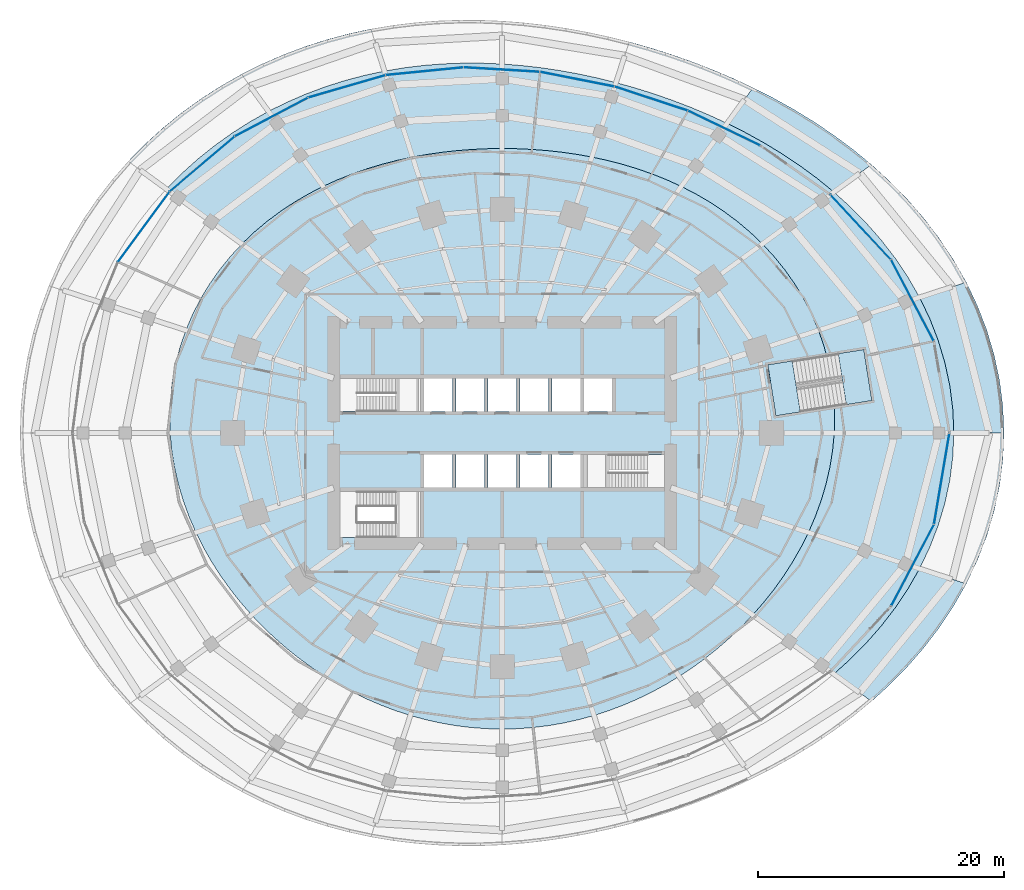
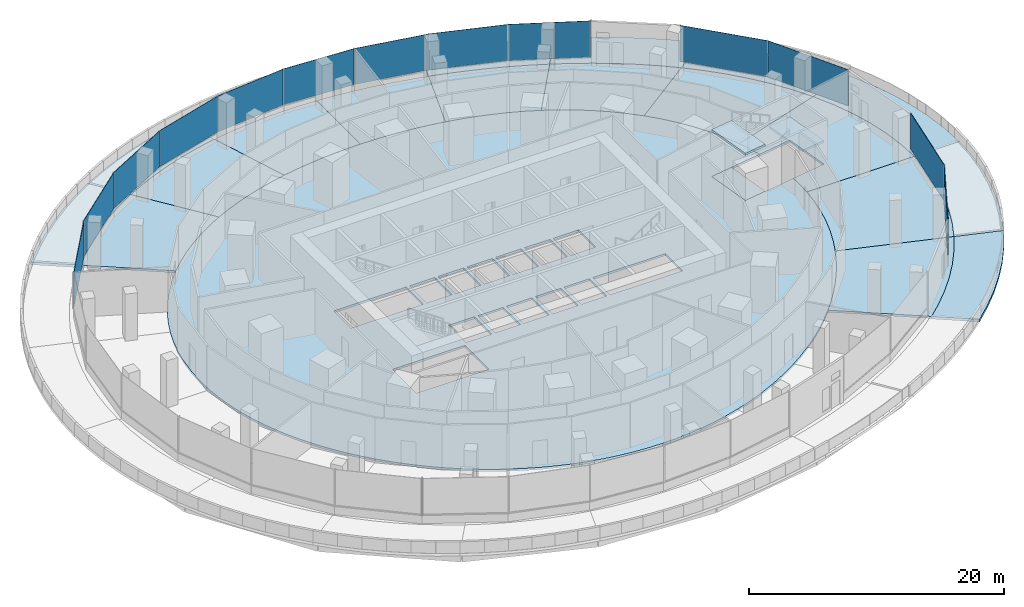
# One storey, part 17 of 27: 22 slabs, 13 plates, 6 elements without a shape of their own.
"""IFC4 building model written with IfcOpenShell, lengths in metres."""

from ifc_helpers import new_model, si_unit, direction, frame, origin, origin_2d, place, context, subcontext, project, spatial, polyline, rectangle, outline, extrude, material, layer, layer_set, type_object, element, aggregate, save


model = new_model("IFC4")

# Units and contexts
model_context = context("Model", 3, precision=1e-05, world=origin(), true_north=direction((0.0, 1.0)))
body_context = subcontext(model_context, "Body", "Model", "MODEL_VIEW")
ifc_project = project(units=[si_unit("LENGTHUNIT", "METRE"), si_unit("AREAUNIT", "SQUARE_METRE"), si_unit("VOLUMEUNIT", "CUBIC_METRE"), si_unit("PLANEANGLEUNIT", "RADIAN"), si_unit("MASSUNIT", "GRAM", prefix="KILO")], contexts=[model_context])

# Site, building, storey
site_placement = place(None, origin())
site = spatial("IfcSite", under=ifc_project, at=site_placement, CompositionType="ELEMENT")
building_placement = place(site_placement, origin())
building = spatial("IfcBuilding", under=site, at=building_placement, Name="Marramba Exchange Tower", CompositionType="ELEMENT")
storey_placement = place(building_placement, frame((0.0, 0.0, 10.60009765625)))
storey = spatial("IfcBuildingStorey", under=building, at=storey_placement, Name="L02", CompositionType="ELEMENT", Elevation=10.60009765625)

# Slabs
ifc_material_1 = material(Name="Concrete N40", Category="concrete")
ifc_layer_1 = layer(ifc_material_1, 0.199951171875)
ifc_layer_set_1 = layer_set([ifc_layer_1], Name="Floor slab 200")
slab_type_1 = type_object("IfcSlabType", Name="Floor slab 200", PredefinedType="FLOOR", material=ifc_layer_set_1)
slab_1_placement = place(storey_placement, frame((0.0, 0.0, -0.2001953125)))
element("IfcSlab", 1, at=slab_1_placement, inside=storey, type_object=slab_type_1, Name="Floor slab L02", PredefinedType="FLOOR", context=body_context, shape_type="SweptSolid", body=[
    extrude(outline(polyline([(27.003173828125, 2.150634765625), (27.035888671875, 1.4169921875), (27.0, 0.0), (26.8671875, -1.407958984375), (26.64111328125, -2.800048828125), (26.326171875, -4.169677734375), (25.927001953125, -5.510986328125), (25.44921875, -6.819091796875), (24.8984375, -8.090087890625), (24.280517578125, -9.320556640625), (23.60107421875, -10.5078125), (22.865234375, -11.650390625), (22.078369140625, -12.7470703125), (21.244873046875, -13.796630859375), (20.36865234375, -14.798583984375), (19.453369140625, -15.753173828125), (18.502197265625, -16.659423828125), (17.517578125, -17.517578125), (16.501953125, -18.327392578125), (15.457275390625, -19.088134765625), (14.385009765625, -19.799072265625), (13.286865234375, -20.459716796875), (12.164306640625, -21.069091796875), (11.01904296875, -21.6259765625), (9.8525390625, -22.129150390625), (8.66650390625, -22.577392578125), (7.463134765625, -22.968994140625), (6.244140625, -23.30322265625), (5.01171875, -23.578369140625), (3.7685546875, -23.793701171875), (2.51708984375, -23.947998046875), (1.260009765625, -24.041015625), (0.0, -24.072021484375), (-1.260009765625, -24.041015625), (-2.51708984375, -23.947998046875), (-3.7685546875, -23.793701171875), (-5.01171875, -23.578369140625), (-6.244140625, -23.30322265625), (-7.463134765625, -22.968994140625), (-8.66650390625, -22.577392578125), (-9.8525390625, -22.129150390625), (-11.01904296875, -21.6259765625), (-12.164306640625, -21.069091796875), (-13.286865234375, -20.459716796875), (-14.385009765625, -19.799072265625), (-15.457275390625, -19.088134765625), (-16.501953125, -18.327392578125), (-17.517578125, -17.517578125), (-18.502197265625, -16.659423828125), (-19.453369140625, -15.753173828125), (-20.36865234375, -14.798583984375), (-21.244873046875, -13.796630859375), (-22.078369140625, -12.7470703125), (-22.865234375, -11.650390625), (-23.60107421875, -10.5078125), (-24.280517578125, -9.320556640625), (-24.8984375, -8.090087890625), (-25.44921875, -6.819091796875), (-25.927001953125, -5.510986328125), (-26.326171875, -4.169677734375), (-26.64111328125, -2.800048828125), (-26.8671875, -1.407958984375), (-27.0, 0.0), (-27.035888671875, 1.4169921875), (-26.97265625, 2.8349609375), (-26.80859375, 4.24609375), (-26.5439453125, 5.64208984375), (-26.179443359375, 7.0146484375), (-25.717529296875, 8.356201171875), (-25.16162109375, 9.65869140625), (-24.516357421875, 10.915283203125), (-23.786865234375, 12.1201171875), (-22.9794921875, 13.267333984375), (-22.10107421875, 14.3525390625), (-21.158447265625, 15.37255859375), (-20.159423828125, 16.32470703125), (-19.11083984375, 17.20751953125), (-18.020263671875, 18.020263671875), (-16.89453125, 18.763427734375), (-15.740478515625, 19.437744140625), (-14.563720703125, 20.04541015625), (-13.3701171875, 20.588134765625), (-12.164306640625, 21.069091796875), (-10.9501953125, 21.4912109375), (-9.7314453125, 21.857421875), (-8.5107421875, 22.1708984375), (-7.289794921875, 22.435302734375), (-6.06982421875, 22.6533203125), (-4.85205078125, 22.827392578125), (-3.636474609375, 22.96044921875), (-2.423095703125, 23.053955078125), (-1.211181640625, 23.109619140625), (0.0, 23.1279296875), (1.211181640625, 23.109619140625), (2.423095703125, 23.053955078125), (3.636474609375, 22.96044921875), (4.85205078125, 22.827392578125), (6.06982421875, 22.6533203125), (7.289794921875, 22.435302734375), (8.5107421875, 22.1708984375), (9.7314453125, 21.857421875), (10.9501953125, 21.4912109375), (12.164306640625, 21.069091796875), (13.3701171875, 20.588134765625), (14.563720703125, 20.04541015625), (15.740478515625, 19.437744140625), (16.89453125, 18.763427734375), (18.020263671875, 18.020263671875), (19.11083984375, 17.20751953125), (20.159423828125, 16.32470703125), (21.158447265625, 15.37255859375), (22.10107421875, 14.3525390625), (22.9794921875, 13.267333984375), (23.786865234375, 12.1201171875), (24.516357421875, 10.915283203125), (25.16162109375, 9.65869140625), (25.717529296875, 8.356201171875), (26.179443359375, 7.0146484375), (26.368408203125, 6.302490234375), (21.59814453125, 5.546875), (22.255126953125, 1.398681640625), (27.003173828125, 2.150634765625)]), holes=[polyline([(-4.050048828125, 1.75), (-4.050048828125, 4.449951171875), (-6.35009765625, 4.449951171875), (-6.35009765625, 1.75), (-4.050048828125, 1.75)]), polyline([(-1.449951171875, 1.75), (-1.449951171875, 4.449951171875), (-3.75, 4.449951171875), (-3.75, 1.75), (-1.449951171875, 1.75)]), polyline([(1.14990234375, 1.75), (1.14990234375, 4.449951171875), (-1.14990234375, 4.449951171875), (-1.14990234375, 1.75), (1.14990234375, 1.75)]), polyline([(3.75, 1.75), (3.75, 4.449951171875), (1.449951171875, 4.449951171875), (1.449951171875, 1.75), (3.75, 1.75)]), polyline([(6.35009765625, 1.75), (6.35009765625, 4.449951171875), (4.050048828125, 4.449951171875), (4.050048828125, 1.75), (6.35009765625, 1.75)]), polyline([(-4.050048828125, -4.449951171875), (-4.050048828125, -1.75), (-6.35009765625, -1.75), (-6.35009765625, -4.449951171875), (-4.050048828125, -4.449951171875)]), polyline([(-1.449951171875, -4.449951171875), (-1.449951171875, -1.75), (-3.75, -1.75), (-3.75, -4.449951171875), (-1.449951171875, -4.449951171875)]), polyline([(1.14990234375, -4.449951171875), (1.14990234375, -1.75), (-1.14990234375, -1.75), (-1.14990234375, -4.449951171875), (1.14990234375, -4.449951171875)]), polyline([(3.75, -4.449951171875), (3.75, -1.75), (1.449951171875, -1.75), (1.449951171875, -4.449951171875), (3.75, -4.449951171875)]), polyline([(6.35009765625, -4.449951171875), (6.35009765625, -1.75), (4.050048828125, -1.75), (4.050048828125, -4.449951171875), (6.35009765625, -4.449951171875)]), polyline([(8.949951171875, 1.75), (8.949951171875, 4.449951171875), (6.64990234375, 4.449951171875), (6.64990234375, 1.75), (8.949951171875, 1.75)]), polyline([(-6.64990234375, 1.75), (-6.64990234375, 4.449951171875), (-13.199951171875, 4.449951171875), (-13.199951171875, 1.75), (-6.64990234375, 1.75)]), polyline([(13.199951171875, -4.449951171875), (13.199951171875, -1.75), (6.64990234375, -1.75), (6.64990234375, -4.449951171875), (13.199951171875, -4.449951171875)]), polyline([(-6.64990234375, -8.5), (-6.64990234375, -4.75), (-13.199951171875, -4.75), (-13.199951171875, -8.5), (-6.64990234375, -8.5)])]), origin(), (0.0, 0.0, 1.0), 0.2001953125),
])
slab_2_placement = place(storey_placement, frame((0.0, 0.0, -0.2001953125)))
element("IfcSlab", 2, at=slab_2_placement, inside=storey, type_object=slab_type_1, Name="Floor slab L02 podium bay 01", PredefinedType="FLOOR", context=body_context, shape_type="SweptSolid", body=[
    extrude(outline(polyline([(33.93505859375, 11.026123046875), (34.756591796875, 9.31298828125), (35.447509765625, 7.53466796875), (35.9970703125, 5.701416015625), (36.396484375, 3.825439453125), (36.638671875, 1.920166015625), (36.719970703125, 0.0), (27.0, 0.0), (27.035888671875, 1.4169921875), (27.003173828125, 2.150634765625), (30.057861328125, 2.634521484375), (29.40087890625, 6.78271484375), (26.368408203125, 6.302490234375), (26.179443359375, 7.0146484375), (25.717529296875, 8.356201171875), (33.93505859375, 11.026123046875)])), origin(), (0.0, 0.0, 1.0), 0.2001953125),
])
slab_3_placement = place(storey_placement, frame((0.0, 0.0, -0.2001953125)))
element("IfcSlab", 3, at=slab_3_placement, inside=storey, type_object=slab_type_1, Name="Floor slab L02 podium bay 02", PredefinedType="FLOOR", context=body_context, shape_type="SweptSolid", body=[
    extrude(outline(polyline([(28.30712890625, 18.3828125), (29.591796875, 17.0849609375), (30.809814453125, 15.698486328125), (31.948486328125, 14.224365234375), (32.99462890625, 12.66552734375), (33.93505859375, 11.026123046875), (25.717529296875, 8.356201171875), (25.16162109375, 9.65869140625), (24.516357421875, 10.915283203125), (23.786865234375, 12.1201171875), (22.9794921875, 13.267333984375), (22.10107421875, 14.3525390625), (21.158447265625, 15.37255859375), (26.96728515625, 19.593017578125), (28.30712890625, 18.3828125)])), origin(), (0.0, 0.0, 1.0), 0.2001953125),
])
slab_4_placement = place(storey_placement, frame((0.0, 0.0, -0.2001953125)))
element("IfcSlab", 4, at=slab_4_placement, inside=storey, type_object=slab_type_1, Name="Floor slab L02 podium bay 03", PredefinedType="FLOOR", context=body_context, shape_type="SweptSolid", body=[
    extrude(outline(polyline([(19.778564453125, 24.42431640625), (21.256591796875, 23.60791015625), (22.720703125, 22.720703125), (24.165283203125, 21.758544921875), (25.58349609375, 20.71728515625), (26.96728515625, 19.593017578125), (21.158447265625, 15.37255859375), (20.159423828125, 16.32470703125), (19.11083984375, 17.20751953125), (18.020263671875, 18.020263671875), (16.89453125, 18.763427734375), (15.740478515625, 19.437744140625), (14.563720703125, 20.04541015625), (18.29052734375, 25.1748046875), (19.778564453125, 24.42431640625)])), origin(), (0.0, 0.0, 1.0), 0.2001953125),
])
slab_5_placement = place(storey_placement, frame((0.0, 0.0, -0.2001953125)))
element("IfcSlab", 5, at=slab_5_placement, inside=storey, type_object=slab_type_1, Name="Floor slab L02 podium bay 04", PredefinedType="FLOOR", context=body_context, shape_type="SweptSolid", body=[
    extrude(outline(polyline([(10.77294921875, 28.064453125), (12.284423828125, 27.591552734375), (13.7919921875, 27.068359375), (15.2958984375, 26.4931640625), (16.795654296875, 25.863037109375), (18.29052734375, 25.1748046875), (14.563720703125, 20.04541015625), (13.3701171875, 20.588134765625), (12.164306640625, 21.069091796875), (10.9501953125, 21.4912109375), (9.7314453125, 21.857421875), (8.5107421875, 22.1708984375), (7.289794921875, 22.435302734375), (9.256591796875, 28.48876953125), (10.77294921875, 28.064453125)])), origin(), (0.0, 0.0, 1.0), 0.2001953125),
])
slab_6_placement = place(storey_placement, frame((0.0, 0.0, -0.2001953125)))
element("IfcSlab", 6, at=slab_6_placement, inside=storey, type_object=slab_type_1, Name="Floor slab L02 podium bay 05", PredefinedType="FLOOR", context=body_context, shape_type="SweptSolid", body=[
    extrude(outline(polyline([(1.56591796875, 29.877685546875), (3.12158203125, 29.700927734375), (4.66796875, 29.471923828125), (6.205078125, 29.19287109375), (7.734375, 28.864990234375), (9.256591796875, 28.48876953125), (7.289794921875, 22.435302734375), (6.06982421875, 22.6533203125), (4.85205078125, 22.827392578125), (3.636474609375, 22.96044921875), (2.423095703125, 23.053955078125), (1.211181640625, 23.109619140625), (0.0, 23.1279296875), (0.0, 30.0), (1.56591796875, 29.877685546875)])), origin(), (0.0, 0.0, 1.0), 0.2001953125),
])
slab_7_placement = place(storey_placement, frame((0.0, 0.0, -0.2001953125)))
element("IfcSlab", 7, at=slab_7_placement, inside=storey, type_object=slab_type_1, Name="Floor slab L02 podium bay 06", PredefinedType="FLOOR", context=body_context, shape_type="SweptSolid", body=[
    extrude(outline(polyline([(-9.56103515625, 29.42578125), (-7.956298828125, 29.693115234375), (-6.352783203125, 29.887451171875), (-4.75341796875, 30.01220703125), (-3.160400390625, 30.0703125), (-1.57568359375, 30.065185546875), (0.0, 30.0), (0.0, 23.1279296875), (-1.211181640625, 23.109619140625), (-2.423095703125, 23.053955078125), (-3.636474609375, 22.96044921875), (-4.85205078125, 22.827392578125), (-6.06982421875, 22.6533203125), (-7.289794921875, 22.435302734375), (-9.56103515625, 29.42578125)])), origin(), (0.0, 0.0, 1.0), 0.2001953125),
])
slab_8_placement = place(storey_placement, frame((0.0, 0.0, -0.2001953125)))
element("IfcSlab", 8, at=slab_8_placement, inside=storey, type_object=slab_type_1, Name="Floor slab L02 podium bay 07", PredefinedType="FLOOR", context=body_context, shape_type="SweptSolid", body=[
    extrude(outline(polyline([(-18.999755859375, 26.15087890625), (-17.47265625, 26.905517578125), (-15.920166015625, 27.574462890625), (-14.347900390625, 28.159423828125), (-12.760986328125, 28.661376953125), (-11.163818359375, 29.082763671875), (-9.56103515625, 29.42578125), (-7.289794921875, 22.435302734375), (-8.5107421875, 22.1708984375), (-9.7314453125, 21.857421875), (-10.9501953125, 21.4912109375), (-12.164306640625, 21.069091796875), (-13.3701171875, 20.588134765625), (-14.563720703125, 20.04541015625), (-18.999755859375, 26.15087890625)])), origin(), (0.0, 0.0, 1.0), 0.2001953125),
])
slab_9_placement = place(storey_placement, frame((0.0, 0.0, -0.2001953125)))
element("IfcSlab", 9, at=slab_9_placement, inside=storey, type_object=slab_type_1, Name="Floor slab L02 podium bay 08", PredefinedType="FLOOR", context=body_context, shape_type="SweptSolid", body=[
    extrude(outline(polyline([(-27.302734375, 19.836669921875), (-26.052490234375, 21.096923828125), (-24.740234375, 22.276123046875), (-23.37255859375, 23.37255859375), (-21.955810546875, 24.38427734375), (-20.49609375, 25.310791015625), (-18.999755859375, 26.15087890625), (-14.563720703125, 20.04541015625), (-15.740478515625, 19.437744140625), (-16.89453125, 18.763427734375), (-18.020263671875, 18.020263671875), (-19.11083984375, 17.20751953125), (-20.159423828125, 16.32470703125), (-21.158447265625, 15.37255859375), (-27.302734375, 19.836669921875)])), origin(), (0.0, 0.0, 1.0), 0.2001953125),
])
slab_10_placement = place(storey_placement, frame((0.0, 0.0, -0.2001953125)))
element("IfcSlab", 10, at=slab_10_placement, inside=storey, type_object=slab_type_1, Name="Floor slab L02 podium bay 19", PredefinedType="FLOOR", context=body_context, shape_type="SweptSolid", body=[
    extrude(outline(polyline([(32.99462890625, -12.66552734375), (31.948486328125, -14.224365234375), (30.809814453125, -15.698486328125), (29.591796875, -17.0849609375), (28.30712890625, -18.3828125), (26.96728515625, -19.593017578125), (20.36865234375, -14.798583984375), (21.244873046875, -13.796630859375), (22.078369140625, -12.7470703125), (22.865234375, -11.650390625), (23.60107421875, -10.5078125), (24.280517578125, -9.320556640625), (24.8984375, -8.090087890625), (33.93505859375, -11.026123046875), (32.99462890625, -12.66552734375)])), origin(), (0.0, 0.0, 1.0), 0.2001953125),
])
slab_11_placement = place(storey_placement, frame((0.0, 0.0, -0.2001953125)))
element("IfcSlab", 11, at=slab_11_placement, inside=storey, type_object=slab_type_1, Name="Floor slab L02 podium bay 20", PredefinedType="FLOOR", context=body_context, shape_type="SweptSolid", body=[
    extrude(outline(polyline([(36.396484375, -3.825439453125), (35.9970703125, -5.701416015625), (35.447509765625, -7.53466796875), (34.756591796875, -9.31298828125), (33.93505859375, -11.026123046875), (24.8984375, -8.090087890625), (25.44921875, -6.819091796875), (25.927001953125, -5.510986328125), (26.326171875, -4.169677734375), (26.64111328125, -2.800048828125), (26.8671875, -1.407958984375), (27.0, 0.0), (36.719970703125, 0.0), (36.638671875, -1.920166015625), (36.396484375, -3.825439453125)])), origin(), (0.0, 0.0, 1.0), 0.2001953125),
])
ifc_layer_2 = layer(ifc_material_1, 0.25)
ifc_layer_set_2 = layer_set([ifc_layer_2], Name="Planted roof slab 250")
slab_type_2 = type_object("IfcSlabType", Name="Planted roof slab 250", PredefinedType="ROOF", material=ifc_layer_set_2)
slab_12_placement = place(storey_placement, frame((0.0, 0.0, -0.25)))
element("IfcSlab", 12, at=slab_12_placement, inside=storey, type_object=slab_type_2, Name="Planted roof slab L02 bay 02", PredefinedType="ROOF", context=body_context, shape_type="SweptSolid", body=[
    extrude(outline(polyline([(31.511474609375, 20.463623046875), (32.932861328125, 19.013671875), (34.279541015625, 17.46630859375), (35.53759765625, 15.822265625), (36.692626953125, 14.0849609375), (37.730224609375, 12.25927734375), (33.93505859375, 11.026123046875), (32.99462890625, 12.66552734375), (31.948486328125, 14.224365234375), (30.809814453125, 15.698486328125), (29.591796875, 17.0849609375), (28.30712890625, 18.3828125), (26.96728515625, 19.593017578125), (30.028076171875, 21.816650390625), (31.511474609375, 20.463623046875)])), origin(), (0.0, 0.0, 1.0), 0.25),
])
slab_13_placement = place(storey_placement, frame((0.0, 0.0, -0.25)))
element("IfcSlab", 13, at=slab_13_placement, inside=storey, type_object=slab_type_2, Name="Planted roof slab L02 bay 04", PredefinedType="ROOF", context=body_context, shape_type="SweptSolid", body=[
    extrude(outline(polyline([(12.024169921875, 31.323974609375), (13.70947265625, 30.791748046875), (15.389404296875, 30.203125), (17.064208984375, 29.55615234375), (18.73388671875, 28.84765625), (20.39697265625, 28.073974609375), (18.29052734375, 25.1748046875), (16.795654296875, 25.863037109375), (15.2958984375, 26.4931640625), (13.7919921875, 27.068359375), (12.284423828125, 27.591552734375), (10.77294921875, 28.064453125), (9.256591796875, 28.48876953125), (10.3330078125, 31.801513671875), (12.024169921875, 31.323974609375)])), origin(), (0.0, 0.0, 1.0), 0.25),
])
slab_14_placement = place(storey_placement, frame((0.0, 0.0, -0.25)))
element("IfcSlab", 14, at=slab_14_placement, inside=storey, type_object=slab_type_2, Name="Planted roof slab L02 bay 07", PredefinedType="ROOF", context=body_context, shape_type="SweptSolid", body=[
    extrude(outline(polyline([(-19.489013671875, 30.01025390625), (-17.7607421875, 30.762451171875), (-16.009521484375, 31.420654296875), (-14.240966796875, 31.98583984375), (-12.46044921875, 32.460693359375), (-10.6728515625, 32.84765625), (-9.56103515625, 29.42578125), (-11.163818359375, 29.082763671875), (-12.760986328125, 28.661376953125), (-14.347900390625, 28.159423828125), (-15.920166015625, 27.574462890625), (-17.47265625, 26.905517578125), (-18.999755859375, 26.15087890625), (-21.18798828125, 29.162841796875), (-19.489013671875, 30.01025390625)])), origin(), (0.0, 0.0, 1.0), 0.25),
])
slab_15_placement = place(storey_placement, frame((0.0, 0.0, -0.25)))
element("IfcSlab", 15, at=slab_15_placement, inside=storey, type_object=slab_type_2, Name="Planted roof slab L02 bay 08", PredefinedType="ROOF", context=body_context, shape_type="SweptSolid", body=[
    extrude(outline(polyline([(-30.401611328125, 22.088134765625), (-29.01708984375, 23.49755859375), (-27.56298828125, 24.81787109375), (-26.0458984375, 26.0458984375), (-24.47314453125, 27.18017578125), (-22.8515625, 28.219482421875), (-21.18798828125, 29.162841796875), (-18.999755859375, 26.15087890625), (-20.49609375, 25.310791015625), (-21.955810546875, 24.38427734375), (-23.37255859375, 23.37255859375), (-24.740234375, 22.276123046875), (-26.052490234375, 21.096923828125), (-27.302734375, 19.836669921875), (-30.401611328125, 22.088134765625)])), origin(), (0.0, 0.0, 1.0), 0.25),
])
slab_16_placement = place(storey_placement, frame((0.0, 0.0, -0.25)))
element("IfcSlab", 16, at=slab_16_placement, inside=storey, type_object=slab_type_2, Name="Planted roof slab L02 bay 20", PredefinedType="ROOF", context=body_context, shape_type="SweptSolid", body=[
    extrude(outline(polyline([(40.71044921875, -2.133544921875), (40.443603515625, -4.250732421875), (40.003662109375, -6.3359375), (39.398193359375, -8.374267578125), (38.636474609375, -10.3525390625), (37.730224609375, -12.25927734375), (33.93505859375, -11.026123046875), (34.756591796875, -9.31298828125), (35.447509765625, -7.53466796875), (35.9970703125, -5.701416015625), (36.396484375, -3.825439453125), (36.638671875, -1.920166015625), (36.719970703125, 0.0), (40.800048828125, 0.0), (40.71044921875, -2.133544921875)])), origin(), (0.0, 0.0, 1.0), 0.25),
])

# Curtain wall, plates
ifc_material_2 = material(Name="Aluminium framing, bronze anodised", Category="aluminium")
curtain_wall_type = type_object("IfcCurtainWallType", Name="Podium ribbon curtain wall", PredefinedType="USERDEFINED", material=ifc_material_2)
curtain_wall_1_placement = place(storey_placement, origin())
curtain_wall_1 = element("IfcCurtainWall", 17, at=curtain_wall_1_placement, inside=storey, type_object=curtain_wall_type, Name="Curtain wall CW2 L02 F02-F03", ObjectType="RIBBON CURTAIN WALL", PredefinedType="USERDEFINED")
ifc_material_3 = material(Name="Double glazed unit 8 + 12 + 8.76, bronze tinted", Category="glass")
ifc_layer_3 = layer(ifc_material_3, 0.02880859375)
ifc_layer_set_3 = layer_set([ifc_layer_3], Name="Podium ribbon curtain wall panel")
plate_type = type_object("IfcPlateType", Name="Podium ribbon curtain wall panel", PredefinedType="CURTAIN_PANEL", material=ifc_layer_set_3)
plate_1_placement = place(storey_placement, frame((33.35302734375, 10.798583984375, 0.85986328125), z_axis=(0.0, 0.0, 1.0), x_axis=(-0.464919020753, 0.885353208693, 0.0)))
plate_1 = element("IfcPlate", 18, at=plate_1_placement, type_object=plate_type, Name="CW2 vision panel", PredefinedType="CURTAIN_PANEL", context=body_context, shape_type="SweptSolid", body=[
    extrude(rectangle(XDim=7.41748046875, YDim=0.02880859375, at=origin_2d()), origin(), (0.0, 0.0, 1.0), 3.43994140625),
])
plate_2_placement = place(storey_placement, frame((29.156494140625, 16.734619140625, 0.85986328125), z_axis=(0.0, 0.0, 1.0), x_axis=(-0.681809422956, 0.731529842705, 0.0)))
plate_2 = element("IfcPlate", 19, at=plate_2_placement, type_object=plate_type, Name="CW2 vision panel", PredefinedType="CURTAIN_PANEL", context=body_context, shape_type="SweptSolid", body=[
    extrude(rectangle(XDim=7.132080078125, YDim=0.02880859375, at=origin_2d()), origin(), (0.0, 0.0, 1.0), 3.43994140625),
])
aggregate(curtain_wall_1, [plate_1, plate_2])

# Curtain wall, plate
curtain_wall_2_placement = place(storey_placement, origin())
curtain_wall_2 = element("IfcCurtainWall", 20, at=curtain_wall_2_placement, inside=storey, type_object=curtain_wall_type, Name="Curtain wall CW2 L02 F05", ObjectType="RIBBON CURTAIN WALL", PredefinedType="USERDEFINED")
plate_3_placement = place(storey_placement, frame((18.044677734375, 24.781982421875, 0.85986328125), z_axis=(0.0, 0.0, 1.0), x_axis=(-0.900956000795, 0.433910456929, 0.0)))
plate_3 = element("IfcPlate", 21, at=plate_3_placement, type_object=plate_type, Name="CW2 vision panel", PredefinedType="CURTAIN_PANEL", context=body_context, shape_type="SweptSolid", body=[
    extrude(rectangle(XDim=6.490478515625, YDim=0.02880859375, at=origin_2d()), origin(), (0.0, 0.0, 1.0), 3.43994140625),
])
aggregate(curtain_wall_2, [plate_3])

# Curtain wall, plates
curtain_wall_3_placement = place(storey_placement, origin())
curtain_wall_3 = element("IfcCurtainWall", 22, at=curtain_wall_3_placement, inside=storey, type_object=curtain_wall_type, Name="Curtain wall CW2 L02 F06-F10", ObjectType="RIBBON CURTAIN WALL", PredefinedType="USERDEFINED")
plate_4_placement = place(storey_placement, frame((12.106201171875, 27.182373046875, 0.85986328125), z_axis=(0.0, 0.0, 1.0), x_axis=(-0.949867652027, 0.312652272713, 0.0)))
plate_4 = element("IfcPlate", 23, at=plate_4_placement, type_object=plate_type, Name="CW2 vision panel", PredefinedType="CURTAIN_PANEL", context=body_context, shape_type="SweptSolid", body=[
    extrude(rectangle(XDim=6.2275390625, YDim=0.02880859375, at=origin_2d()), origin(), (0.0, 0.0, 1.0), 3.43994140625),
])
plate_5_placement = place(storey_placement, frame((6.08740234375, 28.76025390625, 0.85986328125), z_axis=(0.0, 0.0, 1.0), x_axis=(-0.981067098318, 0.19366814038, 0.0)))
plate_5 = element("IfcPlate", 24, at=plate_5_placement, type_object=plate_type, Name="CW2 vision panel", PredefinedType="CURTAIN_PANEL", context=body_context, shape_type="SweptSolid", body=[
    extrude(rectangle(XDim=6.120361328125, YDim=0.02880859375, at=origin_2d()), origin(), (0.0, 0.0, 1.0), 3.43994140625),
])
plate_6_placement = place(storey_placement, frame((-0.04931640625, 29.539306640625, 0.85986328125), z_axis=(0.0, 0.0, 1.0), x_axis=(-0.99823486166, 0.059389906272, 0.0)))
plate_6 = element("IfcPlate", 25, at=plate_6_placement, type_object=plate_type, Name="CW2 vision panel", PredefinedType="CURTAIN_PANEL", context=body_context, shape_type="SweptSolid", body=[
    extrude(rectangle(XDim=6.159912109375, YDim=0.02880859375, at=origin_2d()), origin(), (0.0, 0.0, 1.0), 3.43994140625),
])
plate_7_placement = place(storey_placement, frame((-6.318359375, 29.404541015625, 0.85986328125), z_axis=(0.0, 0.0, 1.0), x_axis=(-0.995093650258, -0.098937491458, 0.0)))
plate_7 = element("IfcPlate", 26, at=plate_7_placement, type_object=plate_type, Name="CW2 vision panel", PredefinedType="CURTAIN_PANEL", context=body_context, shape_type="SweptSolid", body=[
    extrude(rectangle(XDim=6.300048828125, YDim=0.02880859375, at=origin_2d()), origin(), (0.0, 0.0, 1.0), 3.43994140625),
])
plate_8_placement = place(storey_placement, frame((-12.6279296875, 28.173828125, 0.85986328125), z_axis=(0.0, 0.0, 1.0), x_axis=(-0.96055927808, -0.278075301482, 0.0)))
plate_8 = element("IfcPlate", 27, at=plate_8_placement, type_object=plate_type, Name="CW2 vision panel", PredefinedType="CURTAIN_PANEL", context=body_context, shape_type="SweptSolid", body=[
    extrude(rectangle(XDim=6.49072265625, YDim=0.02880859375, at=origin_2d()), origin(), (0.0, 0.0, 1.0), 3.43994140625),
])
aggregate(curtain_wall_3, [plate_4, plate_5, plate_6, plate_7, plate_8])

curtain_wall_4_placement = place(storey_placement, origin())
curtain_wall_4 = element("IfcCurtainWall", 28, at=curtain_wall_4_placement, inside=storey, type_object=curtain_wall_type, Name="Curtain wall CW2 L02 F11-F15", ObjectType="RIBBON CURTAIN WALL", PredefinedType="USERDEFINED")
plate_9_placement = place(storey_placement, frame((-18.760009765625, 25.683837890625, 0.85986328125), z_axis=(0.0, 0.0, 1.0), x_axis=(-0.88482139208, -0.465930364021, 0.0)))
plate_9 = element("IfcPlate", 29, at=plate_9_placement, type_object=plate_type, Name="CW2 vision panel", PredefinedType="CURTAIN_PANEL", context=body_context, shape_type="SweptSolid", body=[
    extrude(rectangle(XDim=6.6943359375, YDim=0.02880859375, at=origin_2d()), origin(), (0.0, 0.0, 1.0), 3.43994140625),
])
plate_10_placement = place(storey_placement, frame((-24.3935546875, 21.858154296875, 0.85986328125), z_axis=(0.0, 0.0, 1.0), x_axis=(-0.762643251269, -0.646819349814, 0.0)))
plate_10 = element("IfcPlate", 30, at=plate_10_placement, type_object=plate_type, Name="CW2 vision panel", PredefinedType="CURTAIN_PANEL", context=body_context, shape_type="SweptSolid", body=[
    extrude(rectangle(XDim=6.886962890625, YDim=0.02880859375, at=origin_2d()), origin(), (0.0, 0.0, 1.0), 3.43994140625),
])
plate_11_placement = place(storey_placement, frame((-29.145751953125, 16.744873046875, 0.85986328125), z_axis=(0.0, 0.0, 1.0), x_axis=(-0.593136265904, -0.805102086738, 0.0)))
plate_11 = element("IfcPlate", 31, at=plate_11_placement, type_object=plate_type, Name="CW2 vision panel", PredefinedType="CURTAIN_PANEL", context=body_context, shape_type="SweptSolid", body=[
    extrude(rectangle(XDim=7.049072265625, YDim=0.02880859375, at=origin_2d()), origin(), (0.0, 0.0, 1.0), 3.43994140625),
])
aggregate(curtain_wall_4, [plate_9, plate_10, plate_11])

curtain_wall_5_placement = place(storey_placement, origin())
curtain_wall_5 = element("IfcCurtainWall", 32, at=curtain_wall_5_placement, inside=storey, type_object=curtain_wall_type, Name="Curtain wall CW2 L02 F29-F30", ObjectType="RIBBON CURTAIN WALL", PredefinedType="USERDEFINED")
plate_12_placement = place(storey_placement, frame((33.380859375, -10.745361328125, 0.85986328125), z_axis=(0.0, 0.0, 1.0), x_axis=(0.464919020753, 0.885353208693, 0.0)))
plate_12 = element("IfcPlate", 33, at=plate_12_placement, type_object=plate_type, Name="CW2 vision panel", PredefinedType="CURTAIN_PANEL", context=body_context, shape_type="SweptSolid", body=[
    extrude(rectangle(XDim=7.41748046875, YDim=0.02880859375, at=origin_2d()), origin(), (0.0, 0.0, 1.0), 3.43994140625),
])
plate_13_placement = place(storey_placement, frame((35.737548828125, -3.73095703125, 0.85986328125), z_axis=(0.0, 0.0, 1.0), x_axis=(0.167117736888, 0.985936946269, 0.0)))
plate_13 = element("IfcPlate", 34, at=plate_13_placement, type_object=plate_type, Name="CW2 vision panel", PredefinedType="CURTAIN_PANEL", context=body_context, shape_type="SweptSolid", body=[
    extrude(rectangle(XDim=7.4482421875, YDim=0.02880859375, at=origin_2d()), origin(), (0.0, 0.0, 1.0), 3.43994140625),
])
aggregate(curtain_wall_5, [plate_12, plate_13])

# Stair, slabs
ifc_material_4 = material(Name="Concrete N40 (40 MPa)", Category="concrete")
stair_type = type_object("IfcStairType", Name="Exit stair ST4 4500 x 2000", PredefinedType="HALF_TURN_STAIR", material=ifc_material_4)
stair_placement = place(storey_placement, origin())
stair = element("IfcStair", 35, at=stair_placement, inside=storey, type_object=stair_type, Name="Exit stair ST4 L02", PredefinedType="HALF_TURN_STAIR")
ifc_layer_4 = layer(ifc_material_4, 0.199951171875)
ifc_layer_set_4 = layer_set([ifc_layer_4], Name="Stair landing 200")
slab_type_3 = type_object("IfcSlabType", Name="Stair landing 200", PredefinedType="LANDING", material=ifc_layer_set_4)
slab_17_placement = place(storey_placement, frame((0.0, 0.0, -0.2001953125)))
slab_17 = element("IfcSlab", 36, at=slab_17_placement, type_object=slab_type_3, Name="ST4 landing 1", PredefinedType="LANDING", context=body_context, shape_type="SweptSolid", body=[
    extrude(outline(polyline([(22.255126953125, 1.398681640625), (24.240478515625, 1.713134765625), (23.58349609375, 5.861328125), (21.59814453125, 5.546875), (22.255126953125, 1.398681640625)])), origin(), (0.0, 0.0, 1.0), 0.2001953125),
])
slab_18_placement = place(storey_placement, frame((0.0, 0.0, 2.0498046875)))
slab_18 = element("IfcSlab", 37, at=slab_18_placement, type_object=slab_type_3, Name="ST4 landing 2", PredefinedType="LANDING", context=body_context, shape_type="SweptSolid", body=[
    extrude(outline(polyline([(27.977783203125, 2.30517578125), (30.057861328125, 2.634521484375), (29.40087890625, 6.78271484375), (27.32080078125, 6.453369140625), (27.977783203125, 2.30517578125)])), origin(), (0.0, 0.0, 1.0), 0.2001953125),
])
slab_19_placement = place(storey_placement, frame((0.0, 0.0, 4.2998046875)))
slab_19 = element("IfcSlab", 38, at=slab_19_placement, type_object=slab_type_3, Name="ST4 landing 3", PredefinedType="LANDING", context=body_context, shape_type="SweptSolid", body=[
    extrude(outline(polyline([(22.255126953125, 1.398681640625), (24.240478515625, 1.713134765625), (23.58349609375, 5.861328125), (21.59814453125, 5.546875), (22.255126953125, 1.398681640625)])), origin(), (0.0, 0.0, 1.0), 0.2001953125),
])
aggregate(stair, [slab_17, slab_18, slab_19])

# Slabs
ifc_layer_5 = layer(ifc_material_1, 0.25)
ifc_layer_set_5 = layer_set([ifc_layer_5], Name="Terrace slab 250")
slab_type_4 = type_object("IfcSlabType", Name="Terrace slab 250", PredefinedType="FLOOR", material=ifc_layer_set_5)
slab_20_placement = place(storey_placement, frame((0.0, 0.0, -0.25)))
element("IfcSlab", 39, at=slab_20_placement, inside=storey, type_object=slab_type_4, Name="Terrace slab L02 bay 01", PredefinedType="FLOOR", context=body_context, shape_type="SweptSolid", body=[
    extrude(outline(polyline([(38.636474609375, 10.3525390625), (39.398193359375, 8.374267578125), (40.003662109375, 6.3359375), (40.443603515625, 4.250732421875), (40.71044921875, 2.133544921875), (40.800048828125, 0.0), (36.719970703125, 0.0), (36.638671875, 1.920166015625), (36.396484375, 3.825439453125), (35.9970703125, 5.701416015625), (35.447509765625, 7.53466796875), (34.756591796875, 9.31298828125), (33.93505859375, 11.026123046875), (37.730224609375, 12.25927734375), (38.636474609375, 10.3525390625)])), origin(), (0.0, 0.0, 1.0), 0.25),
])
slab_21_placement = place(storey_placement, frame((0.0, 0.0, -0.25)))
element("IfcSlab", 40, at=slab_21_placement, inside=storey, type_object=slab_type_4, Name="Terrace slab L02 bay 03", PredefinedType="FLOOR", context=body_context, shape_type="SweptSolid", body=[
    extrude(outline(polyline([(22.051513671875, 27.231201171875), (23.69384765625, 26.314697265625), (25.319580078125, 25.319580078125), (26.92236328125, 24.240966796875), (28.494873046875, 23.07470703125), (30.028076171875, 21.816650390625), (26.96728515625, 19.593017578125), (25.58349609375, 20.71728515625), (24.165283203125, 21.758544921875), (22.720703125, 22.720703125), (21.256591796875, 23.60791015625), (19.778564453125, 24.42431640625), (18.29052734375, 25.1748046875), (20.39697265625, 28.073974609375), (22.051513671875, 27.231201171875)])), origin(), (0.0, 0.0, 1.0), 0.25),
])
slab_22_placement = place(storey_placement, frame((0.0, 0.0, -0.25)))
element("IfcSlab", 41, at=slab_22_placement, inside=storey, type_object=slab_type_4, Name="Terrace slab L02 bay 19", PredefinedType="FLOOR", context=body_context, shape_type="SweptSolid", body=[
    extrude(outline(polyline([(37.730224609375, -12.25927734375), (36.692626953125, -14.0849609375), (35.53759765625, -15.822265625), (34.279541015625, -17.46630859375), (32.932861328125, -19.013671875), (31.511474609375, -20.463623046875), (30.028076171875, -21.816650390625), (26.96728515625, -19.593017578125), (28.30712890625, -18.3828125), (29.591796875, -17.0849609375), (30.809814453125, -15.698486328125), (31.948486328125, -14.224365234375), (32.99462890625, -12.66552734375), (33.93505859375, -11.026123046875), (37.730224609375, -12.25927734375)])), origin(), (0.0, 0.0, 1.0), 0.25),
])

save(model, "model.ifc")
